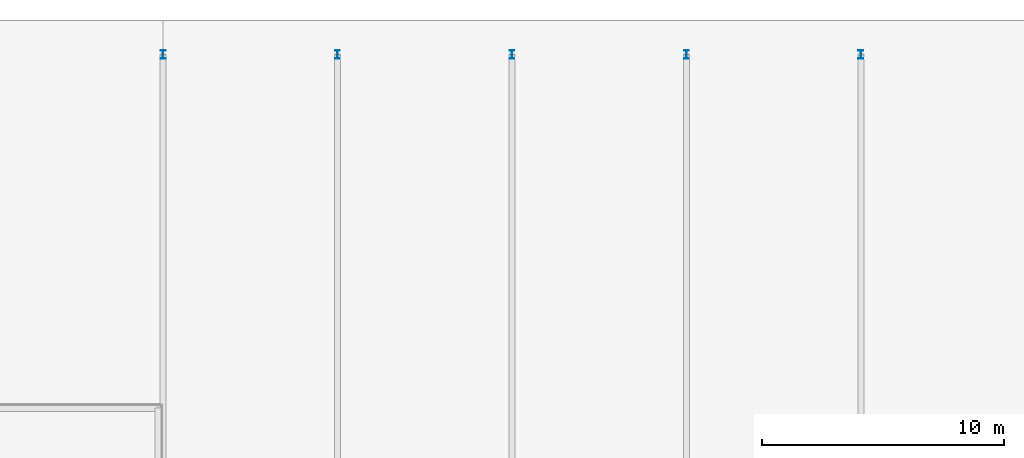
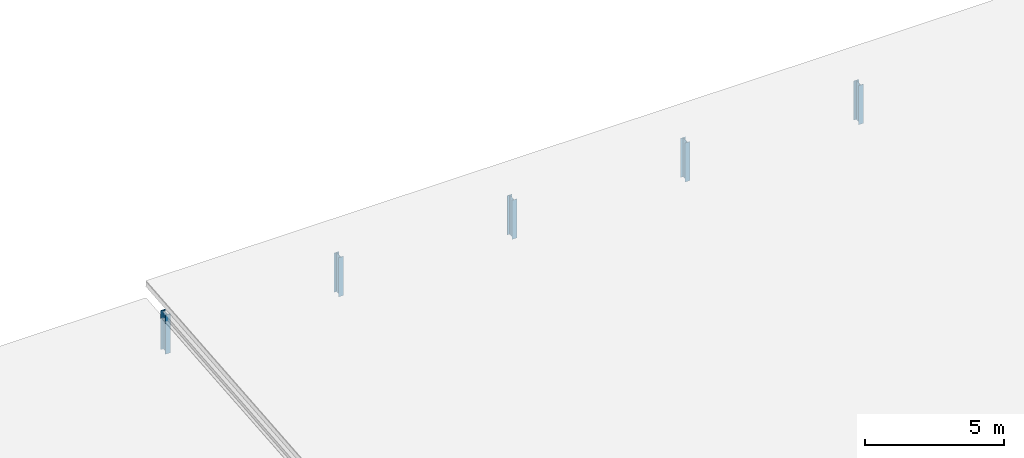
# One storey, part 8 of 38: 5 columns.
"""IFC4 building model written with IfcOpenShell, lengths in metres."""

from ifc_helpers import new_model, si_unit, direction, frame, origin, origin_2d, place, context, subcontext, project, spatial, i_section, extrude, material, material_profile, profile_set, type_object, element, save


model = new_model("IFC4")

# Units and contexts
model_context = context("Model", 3, precision=1e-05, world=origin(), true_north=direction((0.0, 1.0)))
body_context = subcontext(model_context, "Body", "Model", "MODEL_VIEW")
ifc_project = project(units=[si_unit("LENGTHUNIT", "METRE"), si_unit("AREAUNIT", "SQUARE_METRE"), si_unit("VOLUMEUNIT", "CUBIC_METRE"), si_unit("PLANEANGLEUNIT", "RADIAN"), si_unit("MASSUNIT", "GRAM", prefix="KILO")], contexts=[model_context])

# Site, building, storey
site_placement = place(None, origin())
site = spatial("IfcSite", under=ifc_project, at=site_placement, CompositionType="ELEMENT")
building_placement = place(site_placement, origin())
building = spatial("IfcBuilding", under=site, at=building_placement, Name="Kalmorath City Hall", CompositionType="ELEMENT")
storey_placement = place(building_placement, frame((0.0, 0.0, 18.89990234375)))
storey = spatial("IfcBuildingStorey", under=building, at=storey_placement, Name="L04", CompositionType="ELEMENT", Elevation=18.89990234375)

# Columns
ifc_material = material(Name="Steel ASTM A992 Grade 50", Category="steel")
ifc_material_profile = material_profile(ifc_material, i_section(OverallWidth=0.2041015625, OverallDepth=0.35009765625, WebThickness=0.008544921875, FlangeThickness=0.01513671875, FilletRadius=0.014892578125, at=origin_2d()), Name="W14X48")
ifc_profile_set = profile_set([ifc_material_profile], Name="Steel ASTM A992 Grade 50")
column_type = type_object("IfcColumnType", Name="Steel wide-flange column W14X48", PredefinedType="COLUMN", material=ifc_profile_set)
for number, where, z_axis, x_axis, name in (
    (1, (57.60009765625, 115.199951171875, 0.0), (0.0, 0.0, 1.0), (1.0, 0.0, 0.0), "L04 north ridge post SC6-1"),
    (2, (64.800048828125, 115.199951171875, 0.0), (0.0, 0.0, 1.0), (1.0, 0.0, 0.0), "L04 north ridge post SC6-2"),
    (3, (72.0, 115.199951171875, 0.0), (0.0, 0.0, 1.0), (1.0, 0.0, 0.0), "L04 north ridge post SC6-3"),
    (4, (79.199951171875, 115.199951171875, 0.0), (0.0, 0.0, 1.0), (1.0, 0.0, 0.0), "L04 north ridge post SC6-4"),
    (5, (86.39990234375, 115.199951171875, 0.0), (0.0, 0.0, 1.0), (1.0, 0.0, 0.0), "L04 north ridge post SC6-5"),
):
    element("IfcColumn", number, at=place(storey_placement, frame(where, z_axis=z_axis, x_axis=x_axis)), inside=storey, type_object=column_type, Name=name, PredefinedType="COLUMN", context=body_context, shape_type="SweptSolid", body=[
        extrude(i_section(OverallWidth=0.2041015625, OverallDepth=0.35009765625, WebThickness=0.008544921875, FlangeThickness=0.01513671875, FilletRadius=0.014892578125, at=origin_2d()), origin(), (0.0, 0.0, 1.0), 1.72021484375),
    ])

save(model, "model.ifc")
